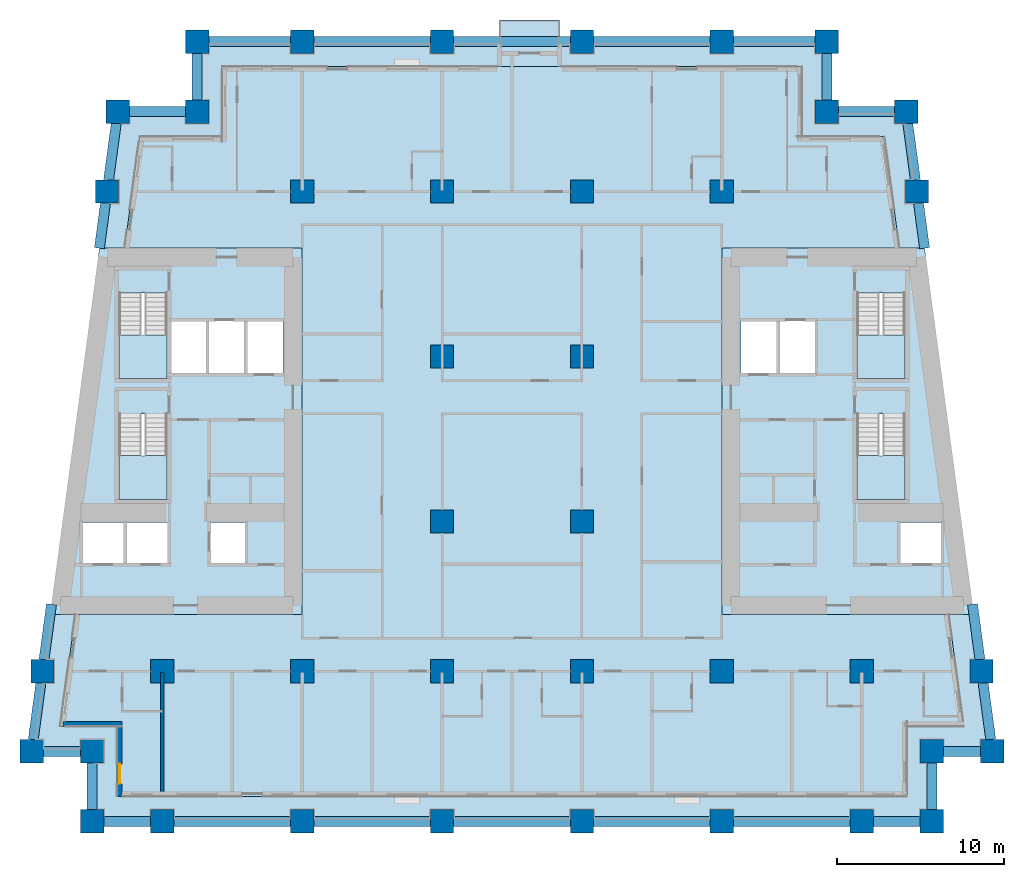
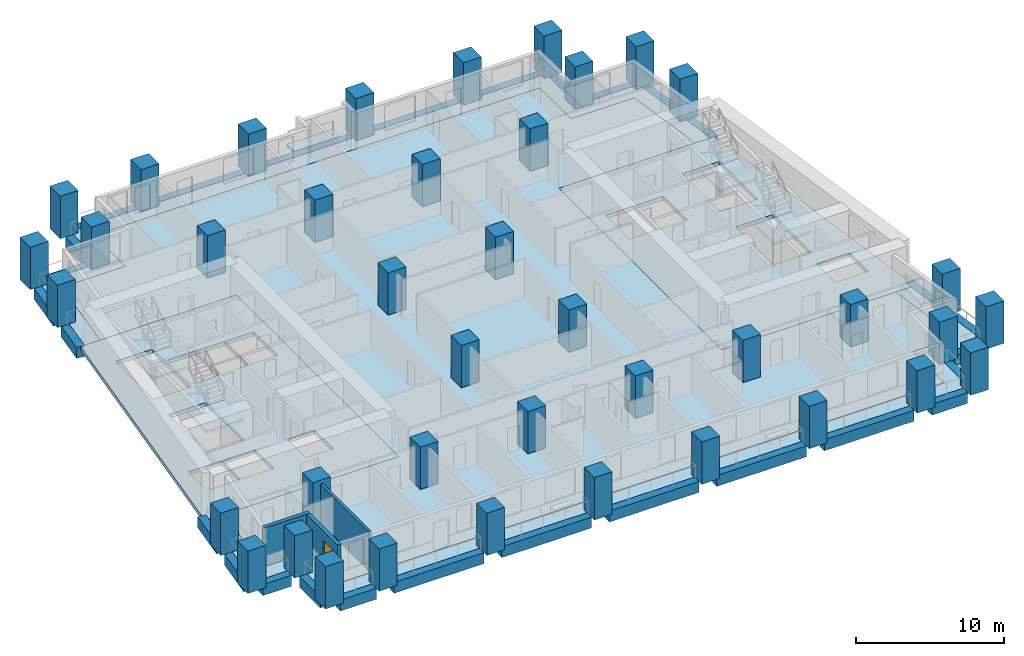
# One storey, part 1 of 12: 40 columns, 28 beams, 10 slabs, 3 walls, 1 door, 1 opening, 4 elements without a shape of their own.
"""IFC4 building model written with IfcOpenShell, lengths in metres."""

from ifc_helpers import new_model, si_unit, direction, frame, frame_2d, origin, origin_2d, place, context, subcontext, project, spatial, polyline, rectangle, outline, extrude, material, layer, layer_set, material_profile, profile_set, type_object, element, fill, aggregate, save


model = new_model("IFC4")

# Units and contexts
model_context = context("Model", 3, precision=1e-05, world=origin(), true_north=direction((0.0, 1.0)))
body_context = subcontext(model_context, "Body", "Model", "MODEL_VIEW")
ifc_project = project(units=[si_unit("LENGTHUNIT", "METRE"), si_unit("AREAUNIT", "SQUARE_METRE"), si_unit("VOLUMEUNIT", "CUBIC_METRE"), si_unit("PLANEANGLEUNIT", "RADIAN"), si_unit("MASSUNIT", "GRAM", prefix="KILO")], contexts=[model_context])

# Site, building, storey
site_placement = place(None, origin())
site = spatial("IfcSite", under=ifc_project, at=site_placement, CompositionType="ELEMENT")
building_placement = place(site_placement, origin())
building = spatial("IfcBuilding", under=site, at=building_placement, Name="Candeia Pilgrim Tower and Theatre", CompositionType="ELEMENT")
storey_placement = place(building_placement, frame((0.0, 0.0, 42.5)))
storey = spatial("IfcBuildingStorey", under=building, at=storey_placement, Name="L07", CompositionType="ELEMENT", Elevation=42.5)

# Columns
ifc_material_1 = material(Name="Concrete C80/95", Category="concrete")
ifc_material_profile_1 = material_profile(ifc_material_1, rectangle(XDim=1.39990234375, YDim=1.39990234375, at=origin_2d()))
ifc_profile_set_1 = profile_set([ifc_material_profile_1], Name="Concrete C80/95")
column_type = type_object("IfcColumnType", Name="RC 1400x1400 C80/95", PredefinedType="COLUMN", material=ifc_profile_set_1)
for number, where, z_axis, x_axis, name in (
    (1, (92.39990234375, 98.0, 0.0), (0.0, 0.0, 1.0), (1.0, 0.0, 0.0), "Column A1"),
    (2, (100.800048828125, 98.0, 0.0), (0.0, 0.0, 1.0), (1.0, 0.0, 0.0), "Column A2"),
    (3, (109.199951171875, 98.0, 0.0), (0.0, 0.0, 1.0), (1.0, 0.0, 0.0), "Column A3"),
    (4, (117.60009765625, 98.0, 0.0), (0.0, 0.0, 1.0), (1.0, 0.0, 0.0), "Column A4"),
    (5, (126.0, 98.0, 0.0), (0.0, 0.0, 1.0), (1.0, 0.0, 0.0), "Column A5"),
    (6, (134.39990234375, 98.0, 0.0), (0.0, 0.0, 1.0), (1.0, 0.0, 0.0), "Column A6"),
    (7, (88.199951171875, 98.0, 0.0), (0.0, 0.0, 1.0), (1.0, 0.0, 0.0), "Column AW"),
    (8, (138.60009765625, 98.0, 0.0), (0.0, 0.0, 1.0), (1.0, 0.0, 0.0), "Column AE"),
    (9, (88.199951171875, 102.199951171875, 0.0), (0.0, 0.0, 1.0), (1.0, 0.0, 0.0), "Column NSW"),
    (10, (138.60009765625, 102.199951171875, 0.0), (0.0, 0.0, 1.0), (1.0, 0.0, 0.0), "Column NSE"),
    (11, (94.5, 140.60009765625, 0.0), (0.0, 0.0, 1.0), (1.0, 0.0, 0.0), "Column NNW"),
    (12, (132.300048828125, 140.60009765625, 0.0), (0.0, 0.0, 1.0), (1.0, 0.0, 0.0), "Column NNE"),
    (13, (84.5654296875, 102.199951171875, 0.0), (0.0, 0.0, 1.0), (1.0, 0.0, 0.0), "Column LSW"),
    (14, (142.234619140625, 102.199951171875, 0.0), (0.0, 0.0, 1.0), (1.0, 0.0, 0.0), "Column LSE"),
    (15, (89.734619140625, 140.60009765625, 0.0), (0.0, 0.0, 1.0), (1.0, 0.0, 0.0), "Column LNW"),
    (16, (137.0654296875, 140.60009765625, 0.0), (0.0, 0.0, 1.0), (1.0, 0.0, 0.0), "Column LNE"),
    (17, (92.39990234375, 107.0, 0.0), (0.0, 0.0, 1.0), (1.0, 0.0, 0.0), "Column B1"),
    (18, (100.800048828125, 107.0, 0.0), (0.0, 0.0, 1.0), (1.0, 0.0, 0.0), "Column B2"),
    (19, (109.199951171875, 107.0, 0.0), (0.0, 0.0, 1.0), (1.0, 0.0, 0.0), "Column B3"),
    (20, (117.60009765625, 107.0, 0.0), (0.0, 0.0, 1.0), (1.0, 0.0, 0.0), "Column B4"),
    (21, (126.0, 107.0, 0.0), (0.0, 0.0, 1.0), (1.0, 0.0, 0.0), "Column B5"),
    (22, (134.39990234375, 107.0, 0.0), (0.0, 0.0, 1.0), (1.0, 0.0, 0.0), "Column B6"),
    (23, (85.21142578125, 107.0, 0.0), (0.0, 0.0, 1.0), (1.0, 0.0, 0.0), "Column BW"),
    (24, (141.58837890625, 107.0, 0.0), (0.0, 0.0, 1.0), (1.0, 0.0, 0.0), "Column BE"),
    (25, (109.199951171875, 116.0, 0.0), (0.0, 0.0, 1.0), (1.0, 0.0, 0.0), "Column C3"),
    (26, (117.60009765625, 116.0, 0.0), (0.0, 0.0, 1.0), (1.0, 0.0, 0.0), "Column C4"),
    (27, (109.199951171875, 125.89990234375, 0.0), (0.0, 0.0, 1.0), (1.0, 0.0, 0.0), "Column D3"),
    (28, (117.60009765625, 125.89990234375, 0.0), (0.0, 0.0, 1.0), (1.0, 0.0, 0.0), "Column D4"),
    (29, (100.800048828125, 135.800048828125, 0.0), (0.0, 0.0, 1.0), (1.0, 0.0, 0.0), "Column E2"),
    (30, (109.199951171875, 135.800048828125, 0.0), (0.0, 0.0, 1.0), (1.0, 0.0, 0.0), "Column E3"),
    (31, (117.60009765625, 135.800048828125, 0.0), (0.0, 0.0, 1.0), (1.0, 0.0, 0.0), "Column E4"),
    (32, (126.0, 135.800048828125, 0.0), (0.0, 0.0, 1.0), (1.0, 0.0, 0.0), "Column E5"),
    (33, (89.08837890625, 135.800048828125, 0.0), (0.0, 0.0, 1.0), (1.0, 0.0, 0.0), "Column EW"),
    (34, (137.71142578125, 135.800048828125, 0.0), (0.0, 0.0, 1.0), (1.0, 0.0, 0.0), "Column EE"),
    (35, (100.800048828125, 144.800048828125, 0.0), (0.0, 0.0, 1.0), (1.0, 0.0, 0.0), "Column F2"),
    (36, (109.199951171875, 144.800048828125, 0.0), (0.0, 0.0, 1.0), (1.0, 0.0, 0.0), "Column F3"),
    (37, (117.60009765625, 144.800048828125, 0.0), (0.0, 0.0, 1.0), (1.0, 0.0, 0.0), "Column F4"),
    (38, (126.0, 144.800048828125, 0.0), (0.0, 0.0, 1.0), (1.0, 0.0, 0.0), "Column F5"),
    (39, (94.5, 144.800048828125, 0.0), (0.0, 0.0, 1.0), (1.0, 0.0, 0.0), "Column FW"),
    (40, (132.300048828125, 144.800048828125, 0.0), (0.0, 0.0, 1.0), (1.0, 0.0, 0.0), "Column FE"),
):
    element("IfcColumn", number, at=place(storey_placement, frame(where, z_axis=z_axis, x_axis=x_axis)), inside=storey, type_object=column_type, Name=name, PredefinedType="COLUMN", context=body_context, shape_type="SweptSolid", body=[
        extrude(rectangle(XDim=1.39990234375, YDim=1.39990234375, at=origin_2d()), origin(), (0.0, 0.0, 1.0), 3.5),
    ])

# Beams
ifc_material_profile_2 = material_profile(ifc_material_1, rectangle(XDim=0.60009765625, YDim=0.89990234375, at=origin_2d()))
ifc_profile_set_2 = profile_set([ifc_material_profile_2], Name="Concrete C80/95")
beam_type = type_object("IfcBeamType", Name="RC 600x900 C80/95", PredefinedType="BEAM", material=ifc_profile_set_2)
beam_1_placement = place(storey_placement, frame((88.89990234375, 98.0, -0.449951171875), z_axis=(1.0, 0.0, 0.0), x_axis=(0.0, 1.0, 0.0)))
element("IfcBeam", 41, at=beam_1_placement, inside=storey, type_object=beam_type, Name="Spandrel beam L07-01", PredefinedType="BEAM", context=body_context, shape_type="SweptSolid", body=[
    extrude(rectangle(XDim=0.60009765625, YDim=0.89990234375, at=origin_2d()), origin(), (0.0, 0.0, 1.0), 2.800048828125),
])
for number, where, z_axis, x_axis, name in (
    (42, (93.10009765625, 98.0, -0.449951171875), (1.0, 0.0, 0.0), (0.0, 1.0, 0.0), "Spandrel beam L07-02"),
    (43, (101.5, 98.0, -0.449951171875), (1.0, 0.0, 0.0), (0.0, 1.0, 0.0), "Spandrel beam L07-03"),
    (44, (109.89990234375, 98.0, -0.449951171875), (1.0, 0.0, 0.0), (0.0, 1.0, 0.0), "Spandrel beam L07-04"),
    (45, (118.300048828125, 98.0, -0.449951171875), (1.0, 0.0, 0.0), (0.0, 1.0, 0.0), "Spandrel beam L07-05"),
    (46, (126.699951171875, 98.0, -0.449951171875), (1.0, 0.0, 0.0), (0.0, 1.0, 0.0), "Spandrel beam L07-06"),
):
    element("IfcBeam", number, at=place(storey_placement, frame(where, z_axis=z_axis, x_axis=x_axis)), inside=storey, type_object=beam_type, Name=name, PredefinedType="BEAM", context=body_context, shape_type="SweptSolid", body=[
        extrude(rectangle(XDim=0.60009765625, YDim=0.89990234375, at=origin_2d()), origin(), (0.0, 0.0, 1.0), 7.0),
    ])
beam_2_placement = place(storey_placement, frame((135.10009765625, 98.0, -0.449951171875), z_axis=(1.0, 0.0, 0.0), x_axis=(0.0, 1.0, 0.0)))
element("IfcBeam", 47, at=beam_2_placement, inside=storey, type_object=beam_type, Name="Spandrel beam L07-07", PredefinedType="BEAM", context=body_context, shape_type="SweptSolid", body=[
    extrude(rectangle(XDim=0.60009765625, YDim=0.89990234375, at=origin_2d()), origin(), (0.0, 0.0, 1.0), 2.7998046875),
])
beam_3_placement = place(storey_placement, frame((138.60009765625, 98.699951171875, -0.449951171875), z_axis=(0.0, 1.0, 0.0), x_axis=(-1.0, 0.0, 0.0)))
element("IfcBeam", 48, at=beam_3_placement, inside=storey, type_object=beam_type, Name="Spandrel beam L07-08", PredefinedType="BEAM", context=body_context, shape_type="SweptSolid", body=[
    extrude(rectangle(XDim=0.60009765625, YDim=0.89990234375, at=origin_2d()), origin(), (0.0, 0.0, 1.0), 2.800048828125),
])
beam_4_placement = place(storey_placement, frame((139.300048828125, 102.199951171875, -0.449951171875), z_axis=(1.0, 0.0, 0.0), x_axis=(0.0, 1.0, 0.0)))
element("IfcBeam", 49, at=beam_4_placement, inside=storey, type_object=beam_type, Name="Spandrel beam L07-09", PredefinedType="BEAM", context=body_context, shape_type="SweptSolid", body=[
    extrude(rectangle(XDim=0.60009765625, YDim=0.89990234375, at=origin_2d()), origin(), (0.0, 0.0, 1.0), 2.234619140625),
])
beam_5_placement = place(storey_placement, frame((142.140380859375, 102.89990234375, -0.449951171875), z_axis=(-0.133426797477, 0.991058671177, 0.0), x_axis=(-0.991058671177, -0.133426797477, 0.0)))
element("IfcBeam", 50, at=beam_5_placement, inside=storey, type_object=beam_type, Name="Spandrel beam L07-10", PredefinedType="BEAM", context=body_context, shape_type="SweptSolid", body=[
    extrude(rectangle(XDim=0.60009765625, YDim=0.89990234375, at=origin_2d()), origin(), (0.0, 0.0, 1.0), 3.430908203125),
])
beam_6_placement = place(storey_placement, frame((141.494140625, 107.699951171875, -0.449951171875), z_axis=(-0.13337488337, 0.991065659019, 0.0), x_axis=(-0.991065659019, -0.13337488337, 0.0)))
element("IfcBeam", 51, at=beam_6_placement, inside=storey, type_object=beam_type, Name="Spandrel beam L07-11", PredefinedType="BEAM", context=body_context, shape_type="SweptSolid", body=[
    extrude(rectangle(XDim=0.60009765625, YDim=0.89990234375, at=origin_2d()), origin(), (0.0, 0.0, 1.0), 3.353515625),
])
beam_7_placement = place(storey_placement, frame((138.169189453125, 132.39990234375, -0.449951171875), z_axis=(-0.133425552527, 0.991058838784, 0.0), x_axis=(-0.991058838784, -0.133425552527, 0.0)))
element("IfcBeam", 52, at=beam_7_placement, inside=storey, type_object=beam_type, Name="Spandrel beam L07-12", PredefinedType="BEAM", context=body_context, shape_type="SweptSolid", body=[
    extrude(rectangle(XDim=0.60009765625, YDim=0.89990234375, at=origin_2d()), origin(), (0.0, 0.0, 1.0), 2.724609375),
])
beam_8_placement = place(storey_placement, frame((137.6171875, 136.5, -0.449951171875), z_axis=(-0.13336630817, 0.991066813008, 0.0), x_axis=(-0.991066813008, -0.13336630817, 0.0)))
element("IfcBeam", 53, at=beam_8_placement, inside=storey, type_object=beam_type, Name="Spandrel beam L07-13", PredefinedType="BEAM", context=body_context, shape_type="SweptSolid", body=[
    extrude(rectangle(XDim=0.60009765625, YDim=0.89990234375, at=origin_2d()), origin(), (0.0, 0.0, 1.0), 3.4306640625),
])
beam_9_placement = place(storey_placement, frame((136.365478515625, 140.60009765625, -0.449951171875), z_axis=(-1.0, 0.0, 0.0), x_axis=(0.0, -1.0, 0.0)))
element("IfcBeam", 54, at=beam_9_placement, inside=storey, type_object=beam_type, Name="Spandrel beam L07-14", PredefinedType="BEAM", context=body_context, shape_type="SweptSolid", body=[
    extrude(rectangle(XDim=0.60009765625, YDim=0.89990234375, at=origin_2d()), origin(), (0.0, 0.0, 1.0), 3.365478515625),
])
beam_10_placement = place(storey_placement, frame((132.300048828125, 141.300048828125, -0.449951171875), z_axis=(0.0, 1.0, 0.0), x_axis=(-1.0, 0.0, 0.0)))
element("IfcBeam", 55, at=beam_10_placement, inside=storey, type_object=beam_type, Name="Spandrel beam L07-15", PredefinedType="BEAM", context=body_context, shape_type="SweptSolid", body=[
    extrude(rectangle(XDim=0.60009765625, YDim=0.89990234375, at=origin_2d()), origin(), (0.0, 0.0, 1.0), 2.800048828125),
])
beam_11_placement = place(storey_placement, frame((131.60009765625, 144.800048828125, -0.449951171875), z_axis=(-1.0, 0.0, 0.0), x_axis=(0.0, -1.0, 0.0)))
element("IfcBeam", 56, at=beam_11_placement, inside=storey, type_object=beam_type, Name="Spandrel beam L07-16", PredefinedType="BEAM", context=body_context, shape_type="SweptSolid", body=[
    extrude(rectangle(XDim=0.60009765625, YDim=0.89990234375, at=origin_2d()), origin(), (0.0, 0.0, 1.0), 4.900146484375),
])
for number, where, z_axis, x_axis, name in (
    (57, (125.300048828125, 144.800048828125, -0.449951171875), (-1.0, 0.0, 0.0), (0.0, -1.0, 0.0), "Spandrel beam L07-17"),
    (58, (116.89990234375, 144.800048828125, -0.449951171875), (-1.0, 0.0, 0.0), (0.0, -1.0, 0.0), "Spandrel beam L07-18"),
    (59, (108.5, 144.800048828125, -0.449951171875), (-1.0, 0.0, 0.0), (0.0, -1.0, 0.0), "Spandrel beam L07-19"),
):
    element("IfcBeam", number, at=place(storey_placement, frame(where, z_axis=z_axis, x_axis=x_axis)), inside=storey, type_object=beam_type, Name=name, PredefinedType="BEAM", context=body_context, shape_type="SweptSolid", body=[
        extrude(rectangle(XDim=0.60009765625, YDim=0.89990234375, at=origin_2d()), origin(), (0.0, 0.0, 1.0), 7.0),
    ])
beam_12_placement = place(storey_placement, frame((100.10009765625, 144.800048828125, -0.449951171875), z_axis=(-1.0, 0.0, 0.0), x_axis=(0.0, -1.0, 0.0)))
element("IfcBeam", 60, at=beam_12_placement, inside=storey, type_object=beam_type, Name="Spandrel beam L07-20", PredefinedType="BEAM", context=body_context, shape_type="SweptSolid", body=[
    extrude(rectangle(XDim=0.60009765625, YDim=0.89990234375, at=origin_2d()), origin(), (0.0, 0.0, 1.0), 4.900146484375),
])
beam_13_placement = place(storey_placement, frame((94.5, 144.10009765625, -0.449951171875), z_axis=(0.0, -1.0, 0.0), x_axis=(1.0, 0.0, 0.0)))
element("IfcBeam", 61, at=beam_13_placement, inside=storey, type_object=beam_type, Name="Spandrel beam L07-21", PredefinedType="BEAM", context=body_context, shape_type="SweptSolid", body=[
    extrude(rectangle(XDim=0.60009765625, YDim=0.89990234375, at=origin_2d()), origin(), (0.0, 0.0, 1.0), 2.800048828125),
])
beam_14_placement = place(storey_placement, frame((93.800048828125, 140.60009765625, -0.449951171875), z_axis=(-1.0, 0.0, 0.0), x_axis=(0.0, -1.0, 0.0)))
element("IfcBeam", 62, at=beam_14_placement, inside=storey, type_object=beam_type, Name="Spandrel beam L07-22", PredefinedType="BEAM", context=body_context, shape_type="SweptSolid", body=[
    extrude(rectangle(XDim=0.60009765625, YDim=0.89990234375, at=origin_2d()), origin(), (0.0, 0.0, 1.0), 3.365478515625),
])
beam_15_placement = place(storey_placement, frame((89.640380859375, 139.89990234375, -0.449951171875), z_axis=(-0.133436208017, -0.991057404185, 0.0), x_axis=(0.991057404185, -0.133436208017, 0.0)))
element("IfcBeam", 63, at=beam_15_placement, inside=storey, type_object=beam_type, Name="Spandrel beam L07-23", PredefinedType="BEAM", context=body_context, shape_type="SweptSolid", body=[
    extrude(rectangle(XDim=0.60009765625, YDim=0.89990234375, at=origin_2d()), origin(), (0.0, 0.0, 1.0), 3.4306640625),
])
beam_16_placement = place(storey_placement, frame((88.994140625, 135.10009765625, -0.449951171875), z_axis=(-0.133337538686, -0.991070684047, 0.0), x_axis=(0.991070684047, -0.133337538686, 0.0)))
element("IfcBeam", 64, at=beam_16_placement, inside=storey, type_object=beam_type, Name="Spandrel beam L07-24", PredefinedType="BEAM", context=body_context, shape_type="SweptSolid", body=[
    extrude(rectangle(XDim=0.60009765625, YDim=0.89990234375, at=origin_2d()), origin(), (0.0, 0.0, 1.0), 2.724609375),
])
beam_17_placement = place(storey_placement, frame((85.753173828125, 111.0234375, -0.449951171875), z_axis=(-0.133446390132, -0.991056033209, 0.0), x_axis=(0.991056033209, -0.133446390132, 0.0)))
element("IfcBeam", 65, at=beam_17_placement, inside=storey, type_object=beam_type, Name="Spandrel beam L07-25", PredefinedType="BEAM", context=body_context, shape_type="SweptSolid", body=[
    extrude(rectangle(XDim=0.60009765625, YDim=0.89990234375, at=origin_2d()), origin(), (0.0, 0.0, 1.0), 3.353515625),
])
beam_18_placement = place(storey_placement, frame((85.1171875, 106.300048828125, -0.449951171875), z_axis=(-0.133356902381, -0.991068078685, 0.0), x_axis=(0.991068078685, -0.133356902381, 0.0)))
element("IfcBeam", 66, at=beam_18_placement, inside=storey, type_object=beam_type, Name="Spandrel beam L07-26", PredefinedType="BEAM", context=body_context, shape_type="SweptSolid", body=[
    extrude(rectangle(XDim=0.60009765625, YDim=0.89990234375, at=origin_2d()), origin(), (0.0, 0.0, 1.0), 3.430908203125),
])
beam_19_placement = place(storey_placement, frame((85.265380859375, 102.199951171875, -0.449951171875), z_axis=(1.0, 0.0, 0.0), x_axis=(0.0, 1.0, 0.0)))
element("IfcBeam", 67, at=beam_19_placement, inside=storey, type_object=beam_type, Name="Spandrel beam L07-27", PredefinedType="BEAM", context=body_context, shape_type="SweptSolid", body=[
    extrude(rectangle(XDim=0.60009765625, YDim=0.89990234375, at=origin_2d()), origin(), (0.0, 0.0, 1.0), 2.234619140625),
])
beam_20_placement = place(storey_placement, frame((88.199951171875, 101.5, -0.449951171875), z_axis=(0.0, -1.0, 0.0), x_axis=(1.0, 0.0, 0.0)))
element("IfcBeam", 68, at=beam_20_placement, inside=storey, type_object=beam_type, Name="Spandrel beam L07-28", PredefinedType="BEAM", context=body_context, shape_type="SweptSolid", body=[
    extrude(rectangle(XDim=0.60009765625, YDim=0.89990234375, at=origin_2d()), origin(), (0.0, 0.0, 1.0), 2.800048828125),
])

# Slabs
ifc_material_2 = material(Name="Concrete C40/50", Category="concrete")
ifc_layer_1 = layer(ifc_material_2, 0.25)
ifc_layer_set_1 = layer_set([ifc_layer_1], Name="BK1 balcony slab 250")
slab_type_1 = type_object("IfcSlabType", Name="BK1 balcony slab 250", PredefinedType="USERDEFINED", material=ifc_layer_set_1)
slab_1_placement = place(storey_placement, frame((0.0, 0.0, -0.25)))
element("IfcSlab", 69, at=slab_1_placement, inside=storey, type_object=slab_type_1, Name="Balcony L07", ObjectType="BALCONY", PredefinedType="USERDEFINED", context=body_context, shape_type="SweptSolid", body=[
    extrude(outline(polyline([(112.64990234375, 144.5), (116.25, 144.5), (116.25, 146.10009765625), (112.64990234375, 146.10009765625), (112.64990234375, 144.5)])), origin(), (0.0, 0.0, 1.0), 0.25),
])
ifc_material_3 = material(Name="Concrete C60/75", Category="concrete")
ifc_layer_2 = layer(ifc_material_3, 0.320068359375)
ifc_layer_set_2 = layer_set([ifc_layer_2], Name="FS-CORE 320 core floor")
slab_type_2 = type_object("IfcSlabType", Name="FS-CORE 320 core floor", PredefinedType="FLOOR", material=ifc_layer_set_2)
slab_2_placement = place(storey_placement, frame((0.0, 0.0, -0.320068359375)))
element("IfcSlab", 70, at=slab_2_placement, inside=storey, type_object=slab_type_2, Name="Core floor W L07", PredefinedType="FLOOR", context=body_context, shape_type="SweptSolid", body=[
    extrude(outline(polyline([(100.800048828125, 132.39990234375), (100.800048828125, 110.39990234375), (85.669189453125, 110.39990234375), (88.630859375, 132.39990234375), (100.800048828125, 132.39990234375)]), holes=[polyline([(97.458984375, 128.050048828125), (97.458984375, 124.85009765625), (99.64990234375, 124.85009765625), (99.64990234375, 128.050048828125), (97.458984375, 128.050048828125)]), polyline([(95.277099609375, 115.949951171875), (95.277099609375, 113.449951171875), (97.41357421875, 113.449951171875), (97.41357421875, 115.949951171875), (95.277099609375, 115.949951171875)]), polyline([(95.16796875, 128.050048828125), (95.16796875, 124.85009765625), (97.35888671875, 124.85009765625), (97.35888671875, 128.050048828125), (95.16796875, 128.050048828125)]), polyline([(92.876953125, 128.050048828125), (92.876953125, 124.85009765625), (95.068115234375, 124.85009765625), (95.068115234375, 128.050048828125), (92.876953125, 128.050048828125)]), polyline([(90.228515625, 115.949951171875), (90.228515625, 113.449951171875), (92.777099609375, 113.449951171875), (92.777099609375, 115.949951171875), (90.228515625, 115.949951171875)]), polyline([(89.802001953125, 122.455078125), (89.802001953125, 117.324951171875), (92.701904296875, 117.324951171875), (92.701904296875, 122.455078125), (89.802001953125, 122.455078125)]), polyline([(89.802001953125, 129.705078125), (89.802001953125, 124.574951171875), (92.701904296875, 124.574951171875), (92.701904296875, 129.705078125), (89.802001953125, 129.705078125)]), polyline([(87.580078125, 115.949951171875), (87.580078125, 113.449951171875), (90.12841796875, 113.449951171875), (90.12841796875, 115.949951171875), (87.580078125, 115.949951171875)])]), origin(), (0.0, 0.0, 1.0), 0.320068359375),
])
slab_3_placement = place(storey_placement, frame((0.0, 0.0, -0.320068359375)))
element("IfcSlab", 71, at=slab_3_placement, inside=storey, type_object=slab_type_2, Name="Core floor E L07", PredefinedType="FLOOR", context=body_context, shape_type="SweptSolid", body=[
    extrude(outline(polyline([(138.169189453125, 132.39990234375), (141.130859375, 110.39990234375), (126.0, 110.39990234375), (126.0, 132.39990234375), (138.169189453125, 132.39990234375)]), holes=[polyline([(136.67138671875, 115.949951171875), (136.67138671875, 113.449951171875), (139.219970703125, 113.449951171875), (139.219970703125, 115.949951171875), (136.67138671875, 115.949951171875)]), polyline([(134.097900390625, 117.324951171875), (136.998046875, 117.324951171875), (136.998046875, 122.455078125), (134.097900390625, 122.455078125), (134.097900390625, 117.324951171875)]), polyline([(134.097900390625, 129.705078125), (134.097900390625, 124.574951171875), (136.998046875, 124.574951171875), (136.998046875, 129.705078125), (134.097900390625, 129.705078125)]), polyline([(131.632080078125, 128.050048828125), (129.44091796875, 128.050048828125), (129.44091796875, 124.85009765625), (131.632080078125, 124.85009765625), (131.632080078125, 128.050048828125)]), polyline([(127.14990234375, 128.050048828125), (127.14990234375, 124.85009765625), (129.341064453125, 124.85009765625), (129.341064453125, 128.050048828125), (127.14990234375, 128.050048828125)])]), origin(), (0.0, 0.0, 1.0), 0.320068359375),
])
ifc_material_4 = material(Name="Concrete C50/60", Category="concrete")
ifc_layer_3 = layer(ifc_material_4, 0.320068359375)
ifc_layer_set_3 = layer_set([ifc_layer_3], Name="Floor slab 320 C50/60")
slab_type_3 = type_object("IfcSlabType", Name="Floor slab 320 C50/60", PredefinedType="FLOOR", material=ifc_layer_set_3)
slab_4_placement = place(storey_placement, frame((0.0, 0.0, -0.320068359375)))
element("IfcSlab", 72, at=slab_4_placement, inside=storey, type_object=slab_type_3, Name="Floor slab L07", PredefinedType="FLOOR", context=body_context, shape_type="SweptSolid", body=[
    extrude(outline(polyline([(96.0, 139.10009765625), (96.0, 143.300048828125), (130.800048828125, 143.300048828125), (130.800048828125, 139.10009765625), (135.753662109375, 139.10009765625), (136.65576171875, 132.39990234375), (126.0, 132.39990234375), (126.0, 110.39990234375), (139.6171875, 110.39990234375), (140.51904296875, 103.699951171875), (137.10009765625, 103.699951171875), (137.10009765625, 99.5), (89.699951171875, 99.5), (89.699951171875, 103.699951171875), (86.28076171875, 103.699951171875), (87.182861328125, 110.39990234375), (100.800048828125, 110.39990234375), (100.800048828125, 132.39990234375), (90.144287109375, 132.39990234375), (91.046142578125, 139.10009765625), (96.0, 139.10009765625)])), origin(), (0.0, 0.0, 1.0), 0.320068359375),
])
ifc_layer_4 = layer(ifc_material_2, 0.25)
ifc_layer_set_4 = layer_set([ifc_layer_4], Name="Loggia slab 250 C40/50")
slab_type_4 = type_object("IfcSlabType", Name="Loggia slab 250 C40/50", PredefinedType="FLOOR", material=ifc_layer_set_4)
slab_5_placement = place(storey_placement, frame((0.0, 0.0, -0.25)))
element("IfcSlab", 73, at=slab_5_placement, inside=storey, type_object=slab_type_4, Name="Loggia slab L07 1", PredefinedType="FLOOR", context=body_context, shape_type="SweptSolid", body=[
    extrude(outline(polyline([(87.182861328125, 110.39990234375), (86.28076171875, 103.699951171875), (89.699951171875, 103.699951171875), (89.699951171875, 99.5), (137.10009765625, 99.5), (137.10009765625, 103.699951171875), (140.51904296875, 103.699951171875), (139.6171875, 110.39990234375), (140.828125, 110.39990234375), (141.8916015625, 102.5), (138.300048828125, 102.5), (138.300048828125, 98.300048828125), (88.5, 98.300048828125), (88.5, 102.5), (84.908447265625, 102.5), (85.971923828125, 110.39990234375), (87.182861328125, 110.39990234375)])), origin(), (0.0, 0.0, 1.0), 0.25),
])
slab_6_placement = place(storey_placement, frame((0.0, 0.0, -0.25)))
element("IfcSlab", 74, at=slab_6_placement, inside=storey, type_object=slab_type_4, Name="Loggia slab L07 2", PredefinedType="FLOOR", context=body_context, shape_type="SweptSolid", body=[
    extrude(outline(polyline([(136.65576171875, 132.39990234375), (135.753662109375, 139.10009765625), (130.800048828125, 139.10009765625), (130.800048828125, 143.300048828125), (96.0, 143.300048828125), (96.0, 139.10009765625), (91.046142578125, 139.10009765625), (90.144287109375, 132.39990234375), (88.93359375, 132.39990234375), (89.996826171875, 140.300048828125), (94.800048828125, 140.300048828125), (94.800048828125, 144.5), (132.0, 144.5), (132.0, 140.300048828125), (136.802978515625, 140.300048828125), (137.866455078125, 132.39990234375), (136.65576171875, 132.39990234375)])), origin(), (0.0, 0.0, 1.0), 0.25),
])

# Stair, slab
stair_type = type_object("IfcStairType", Name="ST-TWR dog-leg escape stair", PredefinedType="HALF_TURN_STAIR", material=ifc_material_2)
stair_1_placement = place(storey_placement, origin())
stair_1 = element("IfcStair", 75, at=stair_1_placement, inside=storey, type_object=stair_type, Name="L07 Escape stair ST1", PredefinedType="HALF_TURN_STAIR")
ifc_layer_5 = layer(ifc_material_2, 0.199951171875)
ifc_layer_set_5 = layer_set([ifc_layer_5], Name="SL-LANDING stair landing")
slab_type_5 = type_object("IfcSlabType", Name="SL-LANDING stair landing", PredefinedType="LANDING", material=ifc_layer_set_5)
slab_7_placement = place(storey_placement, frame((0.0, 0.0, 1.550048828125)))
slab_7 = element("IfcSlab", 76, at=slab_7_placement, type_object=slab_type_5, Name="ST1 landing 1", PredefinedType="LANDING", context=body_context, shape_type="SweptSolid", body=[
    extrude(outline(polyline([(89.802001953125, 119.955078125), (89.802001953125, 117.324951171875), (92.701904296875, 117.324951171875), (92.701904296875, 119.955078125), (89.802001953125, 119.955078125)])), origin(), (0.0, 0.0, 1.0), 0.199951171875),
])
aggregate(stair_1, [slab_7])

stair_2_placement = place(storey_placement, origin())
stair_2 = element("IfcStair", 77, at=stair_2_placement, inside=storey, type_object=stair_type, Name="L07 Escape stair ST2", PredefinedType="HALF_TURN_STAIR")
slab_8_placement = place(storey_placement, frame((0.0, 0.0, 1.550048828125)))
slab_8 = element("IfcSlab", 78, at=slab_8_placement, type_object=slab_type_5, Name="ST2 landing 1", PredefinedType="LANDING", context=body_context, shape_type="SweptSolid", body=[
    extrude(outline(polyline([(89.802001953125, 127.205078125), (89.802001953125, 124.574951171875), (92.701904296875, 124.574951171875), (92.701904296875, 127.205078125), (89.802001953125, 127.205078125)])), origin(), (0.0, 0.0, 1.0), 0.199951171875),
])
aggregate(stair_2, [slab_8])

stair_3_placement = place(storey_placement, origin())
stair_3 = element("IfcStair", 79, at=stair_3_placement, inside=storey, type_object=stair_type, Name="L07 Escape stair ST3", PredefinedType="HALF_TURN_STAIR")
slab_9_placement = place(storey_placement, frame((0.0, 0.0, 1.550048828125)))
slab_9 = element("IfcSlab", 80, at=slab_9_placement, type_object=slab_type_5, Name="ST3 landing 1", PredefinedType="LANDING", context=body_context, shape_type="SweptSolid", body=[
    extrude(outline(polyline([(134.097900390625, 119.955078125), (134.097900390625, 117.324951171875), (136.998046875, 117.324951171875), (136.998046875, 119.955078125), (134.097900390625, 119.955078125)])), origin(), (0.0, 0.0, 1.0), 0.199951171875),
])
aggregate(stair_3, [slab_9])

stair_4_placement = place(storey_placement, origin())
stair_4 = element("IfcStair", 81, at=stair_4_placement, inside=storey, type_object=stair_type, Name="L07 Escape stair ST4", PredefinedType="HALF_TURN_STAIR")
slab_10_placement = place(storey_placement, frame((0.0, 0.0, 1.550048828125)))
slab_10 = element("IfcSlab", 82, at=slab_10_placement, type_object=slab_type_5, Name="ST4 landing 1", PredefinedType="LANDING", context=body_context, shape_type="SweptSolid", body=[
    extrude(outline(polyline([(134.097900390625, 127.205078125), (134.097900390625, 124.574951171875), (136.998046875, 124.574951171875), (136.998046875, 127.205078125), (134.097900390625, 127.205078125)])), origin(), (0.0, 0.0, 1.0), 0.199951171875),
])
aggregate(stair_4, [slab_10])

# Wall
ifc_material_5 = material(Name="Ceramic block masonry", Category="masonry")
ifc_layer_6 = layer(ifc_material_5, 0.300048828125)
ifc_layer_set_6 = layer_set([ifc_layer_6], Name="EW1 glazing-line wall 300")
wall_type_1 = type_object("IfcWallType", Name="EW1 glazing-line wall 300", PredefinedType="SOLIDWALL", material=ifc_layer_set_6)
wall_1_placement = place(storey_placement, frame((86.452392578125, 103.85009765625, 0.0), z_axis=(0.0, 0.0, 1.0), x_axis=(1.0, 0.0, 0.0)))
element("IfcWall", 83, at=wall_1_placement, inside=storey, type_object=wall_type_1, Name="External wall L07-10.0", PredefinedType="SOLIDWALL", context=body_context, shape_type="SweptSolid", body=[
    extrude(rectangle(XDim=3.547607421875, YDim=0.300048828125, at=frame_2d((1.77392578125, 0.0))), origin(), (0.0, 0.0, 1.0), 3.179931640625),
])

# Wall, opening, door
wall_2_placement = place(storey_placement, frame((89.85009765625, 103.85009765625, 0.0), z_axis=(0.0, 0.0, 1.0), x_axis=(0.0, -1.0, 0.0)))
wall_2 = element("IfcWall", 84, at=wall_2_placement, inside=storey, type_object=wall_type_1, Name="External wall L07-11.0", PredefinedType="SOLIDWALL", context=body_context, shape_type="SweptSolid", body=[
    extrude(rectangle(XDim=4.35009765625, YDim=0.300048828125, at=frame_2d((2.175048828125, 0.0))), origin(), (0.0, 0.0, 1.0), 3.179931640625),
])
opening_placement = place(wall_2_placement, frame((2.39990234375, 0.0, 0.0)))
opening = element("IfcOpeningElement", 85, at=opening_placement, cuts=wall_2, Name="Opening L07-ED100", PredefinedType="OPENING", context=body_context, shape_type="SweptSolid", body=[
    extrude(rectangle(XDim=1.199951171875, YDim=2.39990234375, at=frame_2d((0.60009765625, 1.199951171875))), frame((0.0, 0.16015625, 0.0), z_axis=(0.0, -1.0, 0.0), x_axis=(1.0, 0.0, 0.0)), (0.0, 0.0, 1.0), 0.320068359375),
])
ifc_material_6 = material(Name="Aluminium framed glazed door", Category="aluminium")
door_type = type_object("IfcDoorType", Name="Loggia door 1200x2400", OperationType="DOUBLE_DOOR_SINGLE_SWING", PredefinedType="DOOR", material=ifc_material_6)
door_placement = place(opening_placement, origin())
door = element("IfcDoor", 86, at=door_placement, inside=storey, type_object=door_type, Name="Loggia door L07-ED100", OperationType="DOUBLE_DOOR_SINGLE_SWING", OverallHeight=2.39990234375, OverallWidth=1.199951171875, PredefinedType="DOOR", context=body_context, shape_type="SweptSolid", body=[
    extrude(rectangle(XDim=1.199951171875, YDim=2.39990234375, at=frame_2d((0.60009765625, 1.199951171875))), frame((0.0, 0.02490234375, 0.0), z_axis=(0.0, -1.0, 0.0), x_axis=(1.0, 0.0, 0.0)), (0.0, 0.0, 1.0), 0.050048828125),
])
fill(opening, door)

# Wall
ifc_material_7 = material(Name="Gypsum board partition on steel studs", Category="steel")
ifc_layer_7 = layer(ifc_material_7, 0.199951171875)
ifc_layer_set_7 = layer_set([ifc_layer_7], Name="PW-200 party wall")
wall_type_2 = type_object("IfcWallType", Name="PW-200 party wall", PredefinedType="PARTITIONING", material=ifc_layer_set_7)
wall_3_placement = place(storey_placement, frame((92.39990234375, 99.7900390625, 0.0), z_axis=(0.0, 0.0, 1.0), x_axis=(0.0, 1.0, 0.0)))
element("IfcWall", 87, at=wall_3_placement, inside=storey, type_object=wall_type_2, Name="Party wall L07-057", PredefinedType="PARTITIONING", context=body_context, shape_type="SweptSolid", body=[
    extrude(rectangle(XDim=7.135009765625, YDim=0.199951171875, at=frame_2d((3.5673828125, 0.0))), origin(), (0.0, 0.0, 1.0), 3.179931640625),
])

save(model, "model.ifc")
